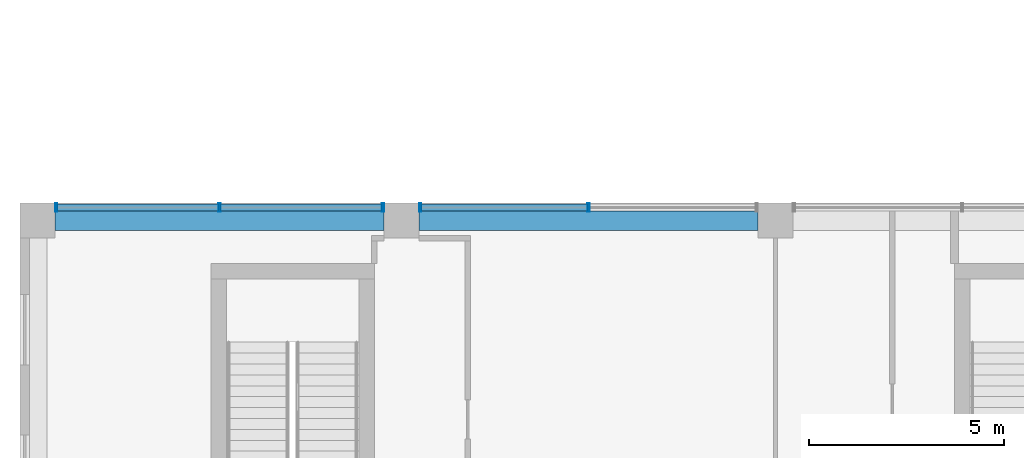
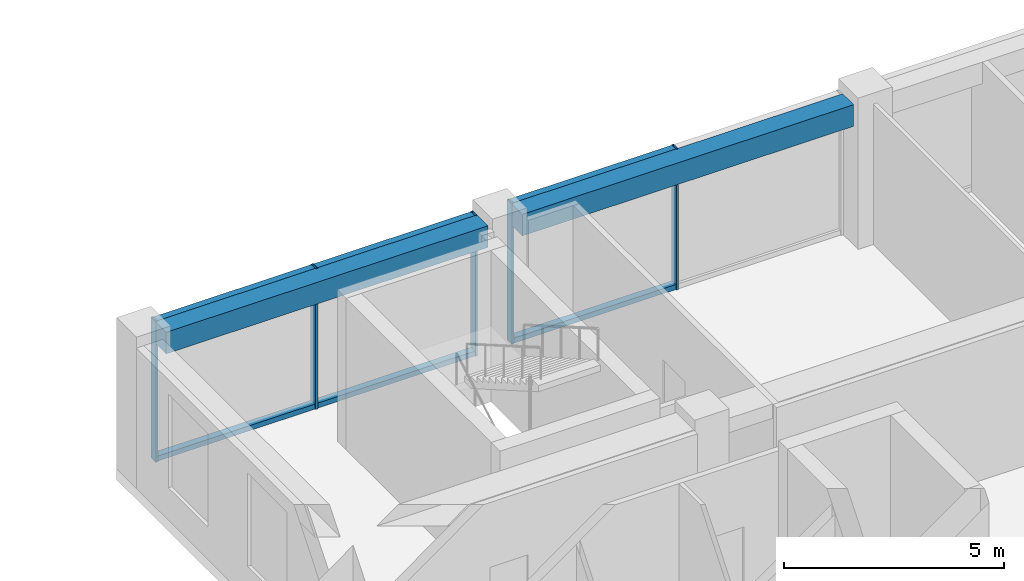
# One storey, part 21 of 36: 11 members, 2 beams, 2 elements without a shape of their own.
"""IFC4 building model written with IfcOpenShell, lengths in metres."""

from ifc_helpers import new_model, si_unit, direction, frame, origin, origin_2d, place, context, subcontext, project, spatial, rectangle, hollow_rectangle, extrude, material, layer, layer_set, material_profile, profile_set, type_object, element, aggregate, save


model = new_model("IFC4")

# Units and contexts
model_context = context("Model", 3, precision=1e-05, world=origin(), true_north=direction((0.0, 1.0)))
body_context = subcontext(model_context, "Body", "Model", "MODEL_VIEW")
ifc_project = project(units=[si_unit("LENGTHUNIT", "METRE"), si_unit("AREAUNIT", "SQUARE_METRE"), si_unit("VOLUMEUNIT", "CUBIC_METRE"), si_unit("PLANEANGLEUNIT", "RADIAN"), si_unit("MASSUNIT", "GRAM", prefix="KILO")], contexts=[model_context])

# Site, building, storey
site_placement = place(None, origin())
site = spatial("IfcSite", under=ifc_project, at=site_placement, CompositionType="ELEMENT")
building_placement = place(site_placement, origin())
building = spatial("IfcBuilding", under=site, at=building_placement, Name="Nzadi Deep Aquarium and Research Tower", CompositionType="ELEMENT")
storey_placement = place(building_placement, frame((0.0, 0.0, 44.5)))
storey = spatial("IfcBuildingStorey", under=building, at=storey_placement, Name="L08", CompositionType="ELEMENT", Elevation=44.5)

# Curtain wall, members
ifc_material_1 = material(Name="Aluminium unitised frame deep", Category="aluminium")
ifc_layer = layer(ifc_material_1, 0.22509765625)
ifc_layer_set = layer_set([ifc_layer], Name="Aluminium unitised frame deep")
curtain_wall_type = type_object("IfcCurtainWallType", Name="Curtain wall Unitised Deep 225", PredefinedType="NOTDEFINED", material=ifc_layer_set)
curtain_wall_1_placement = place(storey_placement, origin())
curtain_wall_1 = element("IfcCurtainWall", 1, at=curtain_wall_1_placement, inside=storey, type_object=curtain_wall_type, Name="Unitised curtain wall blade B north L08", PredefinedType="NOTDEFINED")
ifc_material_2 = material(Name="Aluminium unitised frame deep", Category="aluminium")
ifc_material_profile_1 = material_profile(ifc_material_2, hollow_rectangle(XDim=0.22509765625, YDim=0.06005859375, WallThickness=0.0048828125, at=origin_2d()))
ifc_profile_set_1 = profile_set([ifc_material_profile_1], Name="Aluminium unitised frame deep")
member_type_1 = type_object("IfcMemberType", Name="Mullion 60x225 Unitised Deep", PredefinedType="MULLION", material=ifc_profile_set_1)
member_1_placement = place(storey_placement, frame((0.72998046875, 46.33740234375, 0.0), z_axis=(0.0, 0.0, 1.0), x_axis=(0.0, 1.0, 0.0)))
member_1 = element("IfcMember", 2, at=member_1_placement, type_object=member_type_1, Name="CW113 mullion 1", PredefinedType="MULLION", context=body_context, shape_type="SweptSolid", body=[
    extrude(hollow_rectangle(XDim=0.22509765625, YDim=0.06005859375, WallThickness=0.0048828125, at=origin_2d()), origin(), (0.0, 0.0, 1.0), 3.89990234375),
])
member_2_placement = place(storey_placement, frame((4.925048828125, 46.33740234375, 0.0), z_axis=(0.0, 0.0, 1.0), x_axis=(0.0, 1.0, 0.0)))
member_2 = element("IfcMember", 3, at=member_2_placement, type_object=member_type_1, Name="CW113 mullion 2", PredefinedType="MULLION", context=body_context, shape_type="SweptSolid", body=[
    extrude(hollow_rectangle(XDim=0.22509765625, YDim=0.06005859375, WallThickness=0.0048828125, at=origin_2d()), origin(), (0.0, 0.0, 1.0), 3.89990234375),
])
member_3_placement = place(storey_placement, frame((9.1201171875, 46.33740234375, 0.0), z_axis=(0.0, 0.0, 1.0), x_axis=(0.0, 1.0, 0.0)))
member_3 = element("IfcMember", 4, at=member_3_placement, type_object=member_type_1, Name="CW113 mullion 3", PredefinedType="MULLION", context=body_context, shape_type="SweptSolid", body=[
    extrude(hollow_rectangle(XDim=0.22509765625, YDim=0.06005859375, WallThickness=0.0048828125, at=origin_2d()), origin(), (0.0, 0.0, 1.0), 3.89990234375),
])

curtain_wall_2_placement = place(storey_placement, origin())
curtain_wall_2 = element("IfcCurtainWall", 5, at=curtain_wall_2_placement, inside=storey, type_object=curtain_wall_type, Name="Unitised curtain wall blade B north L08", PredefinedType="NOTDEFINED")
member_4_placement = place(storey_placement, frame((10.080078125, 46.33740234375, 0.0), z_axis=(0.0, 0.0, 1.0), x_axis=(0.0, 1.0, 0.0)))
member_4 = element("IfcMember", 6, at=member_4_placement, type_object=member_type_1, Name="CW114 mullion 1", PredefinedType="MULLION", context=body_context, shape_type="SweptSolid", body=[
    extrude(hollow_rectangle(XDim=0.22509765625, YDim=0.06005859375, WallThickness=0.0048828125, at=origin_2d()), origin(), (0.0, 0.0, 1.0), 3.89990234375),
])
member_5_placement = place(storey_placement, frame((14.39990234375, 46.33740234375, 0.0), z_axis=(0.0, 0.0, 1.0), x_axis=(0.0, 1.0, 0.0)))
member_5 = element("IfcMember", 7, at=member_5_placement, type_object=member_type_1, Name="CW114 mullion 2", PredefinedType="MULLION", context=body_context, shape_type="SweptSolid", body=[
    extrude(hollow_rectangle(XDim=0.22509765625, YDim=0.06005859375, WallThickness=0.0048828125, at=origin_2d()), origin(), (0.0, 0.0, 1.0), 3.89990234375),
])

# Beams
ifc_material_3 = material(Name="Concrete C35/45", Category="concrete")
ifc_material_profile_2 = material_profile(ifc_material_3, rectangle(XDim=0.5, YDim=0.60009765625, at=origin_2d()))
ifc_profile_set_2 = profile_set([ifc_material_profile_2], Name="Concrete C35/45")
beam_type = type_object("IfcBeamType", Name="RC 500x600", PredefinedType="BEAM", material=ifc_profile_set_2)
beam_1_placement = place(storey_placement, frame((0.699951171875, 46.0, 3.60009765625), z_axis=(1.0, 0.0, 0.0), x_axis=(0.0, 1.0, 0.0)))
element("IfcBeam", 8, at=beam_1_placement, inside=storey, type_object=beam_type, Name="B-Z1-L08-L6-1", PredefinedType="BEAM", context=body_context, shape_type="SweptSolid", body=[
    extrude(rectangle(XDim=0.5, YDim=0.60009765625, at=origin_2d()), origin(), (0.0, 0.0, 1.0), 8.449951171875),
])
beam_2_placement = place(storey_placement, frame((10.050048828125, 46.0, 3.60009765625), z_axis=(1.0, 0.0, 0.0), x_axis=(0.0, 1.0, 0.0)))
element("IfcBeam", 9, at=beam_2_placement, inside=storey, type_object=beam_type, Name="B-Z1-L08-L6-2", PredefinedType="BEAM", context=body_context, shape_type="SweptSolid", body=[
    extrude(rectangle(XDim=0.5, YDim=0.60009765625, at=origin_2d()), origin(), (0.0, 0.0, 1.0), 8.699951171875),
])

# Member
ifc_material_4 = material(Name="Aluminium unitised frame deep", Category="aluminium")
ifc_material_profile_3 = material_profile(ifc_material_4, hollow_rectangle(XDim=0.179931640625, YDim=0.139892578125, WallThickness=0.0048828125, at=origin_2d()))
ifc_profile_set_3 = profile_set([ifc_material_profile_3], Name="Aluminium unitised frame deep")
member_type_2 = type_object("IfcMemberType", Name="Transom 140x180 Unitised Deep", PredefinedType="MULLION", material=ifc_profile_set_3)
member_6_placement = place(storey_placement, frame((0.760009765625, 46.33740234375, 0.070068359375), z_axis=(1.0, 0.0, 0.0), x_axis=(0.0, 1.0, 0.0)))
member_6 = element("IfcMember", 10, at=member_6_placement, type_object=member_type_2, Name="CW113 transom 1.1", PredefinedType="MULLION", context=body_context, shape_type="SweptSolid", body=[
    extrude(hollow_rectangle(XDim=0.179931640625, YDim=0.139892578125, WallThickness=0.0048828125, at=origin_2d()), origin(), (0.0, 0.0, 1.0), 4.135009765625),
])

member_7_placement = place(storey_placement, frame((0.760009765625, 46.33740234375, 3.830078125), z_axis=(1.0, 0.0, 0.0), x_axis=(0.0, 1.0, 0.0)))
member_7 = element("IfcMember", 11, at=member_7_placement, type_object=member_type_2, Name="CW113 transom 1.2", PredefinedType="MULLION", context=body_context, shape_type="SweptSolid", body=[
    extrude(hollow_rectangle(XDim=0.179931640625, YDim=0.139892578125, WallThickness=0.0048828125, at=origin_2d()), origin(), (0.0, 0.0, 1.0), 4.135009765625),
])

member_8_placement = place(storey_placement, frame((4.955078125, 46.33740234375, 0.070068359375), z_axis=(1.0, 0.0, 0.0), x_axis=(0.0, 1.0, 0.0)))
member_8 = element("IfcMember", 12, at=member_8_placement, type_object=member_type_2, Name="CW113 transom 2.1", PredefinedType="MULLION", context=body_context, shape_type="SweptSolid", body=[
    extrude(hollow_rectangle(XDim=0.179931640625, YDim=0.139892578125, WallThickness=0.0048828125, at=origin_2d()), origin(), (0.0, 0.0, 1.0), 4.135009765625),
])

member_9_placement = place(storey_placement, frame((4.955078125, 46.33740234375, 3.830078125), z_axis=(1.0, 0.0, 0.0), x_axis=(0.0, 1.0, 0.0)))
member_9 = element("IfcMember", 13, at=member_9_placement, type_object=member_type_2, Name="CW113 transom 2.2", PredefinedType="MULLION", context=body_context, shape_type="SweptSolid", body=[
    extrude(hollow_rectangle(XDim=0.179931640625, YDim=0.139892578125, WallThickness=0.0048828125, at=origin_2d()), origin(), (0.0, 0.0, 1.0), 4.135009765625),
])

aggregate(curtain_wall_1, [member_1, member_2, member_3, member_6, member_7, member_8, member_9])

member_10_placement = place(storey_placement, frame((10.110107421875, 46.33740234375, 0.070068359375), z_axis=(1.0, 0.0, 0.0), x_axis=(0.0, 1.0, 0.0)))
member_10 = element("IfcMember", 14, at=member_10_placement, type_object=member_type_2, Name="CW114 transom 1.1", PredefinedType="MULLION", context=body_context, shape_type="SweptSolid", body=[
    extrude(hollow_rectangle(XDim=0.179931640625, YDim=0.139892578125, WallThickness=0.0048828125, at=origin_2d()), origin(), (0.0, 0.0, 1.0), 4.260009765625),
])

member_11_placement = place(storey_placement, frame((10.110107421875, 46.33740234375, 3.830078125), z_axis=(1.0, 0.0, 0.0), x_axis=(0.0, 1.0, 0.0)))
member_11 = element("IfcMember", 15, at=member_11_placement, type_object=member_type_2, Name="CW114 transom 1.2", PredefinedType="MULLION", context=body_context, shape_type="SweptSolid", body=[
    extrude(hollow_rectangle(XDim=0.179931640625, YDim=0.139892578125, WallThickness=0.0048828125, at=origin_2d()), origin(), (0.0, 0.0, 1.0), 4.260009765625),
])

aggregate(curtain_wall_2, [member_4, member_5, member_10, member_11])

save(model, "model.ifc")
